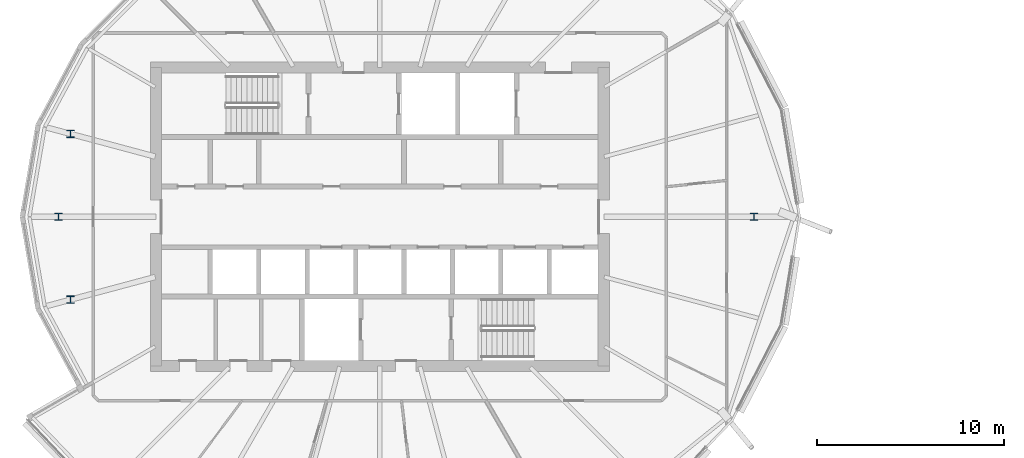
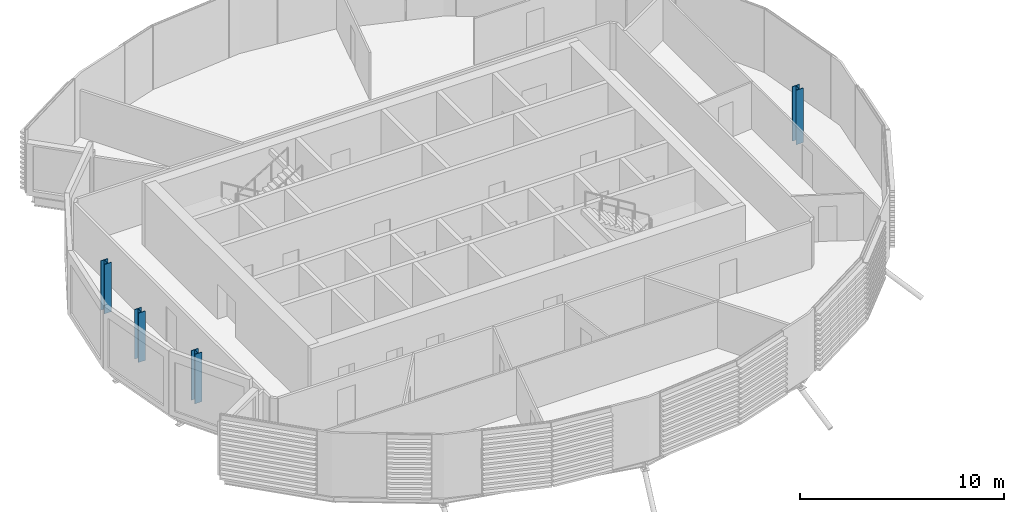
# One storey, part 1 of 37: 4 columns.
"""IFC4 building model written with IfcOpenShell, lengths in metres."""

from ifc_helpers import new_model, si_unit, direction, frame, origin, origin_2d, place, context, subcontext, project, spatial, i_section, extrude, material, material_profile, profile_set, type_object, element, save


model = new_model("IFC4")

# Units and contexts
model_context = context("Model", 3, precision=1e-05, world=origin(), true_north=direction((0.0, 1.0)))
body_context = subcontext(model_context, "Body", "Model", "MODEL_VIEW")
ifc_project = project(units=[si_unit("LENGTHUNIT", "METRE"), si_unit("AREAUNIT", "SQUARE_METRE"), si_unit("VOLUMEUNIT", "CUBIC_METRE"), si_unit("PLANEANGLEUNIT", "RADIAN"), si_unit("MASSUNIT", "GRAM", prefix="KILO")], contexts=[model_context])

# Site, building, storey
site_placement = place(None, origin())
site = spatial("IfcSite", under=ifc_project, at=site_placement, CompositionType="ELEMENT")
building_placement = place(site_placement, origin())
building = spatial("IfcBuilding", under=site, at=building_placement, Name="Rimbun Link Towers", CompositionType="ELEMENT")
storey_placement = place(building_placement, frame((0.0, 0.0, 162.699951171875)))
storey = spatial("IfcBuildingStorey", under=building, at=storey_placement, Name="L39", CompositionType="ELEMENT", Elevation=162.699951171875)

# Columns
ifc_material = material(Name="Steel S355J2", Category="steel")
ifc_material_profile = material_profile(ifc_material, i_section(OverallWidth=0.39892578125, OverallDepth=0.3935546875, WebThickness=0.022705078125, FlangeThickness=0.03662109375, at=origin_2d()), Name="UC 356x406x287")
ifc_profile_set = profile_set([ifc_material_profile], Name="Steel S355J2")
column_type = type_object("IfcColumnType", Name="UC 356x406x287", PredefinedType="COLUMN", material=ifc_profile_set)
column_placement = place(storey_placement, frame((-11.6923828125, 0.0, -0.14990234375), z_axis=(0.0, 0.0, 1.0), x_axis=(1.0, 0.0, 0.0)))
element("IfcColumn", 1, at=column_placement, inside=storey, type_object=column_type, Name="Crease post T1 L39 00", PredefinedType="COLUMN", context=body_context, shape_type="SweptSolid", body=[
    extrude(i_section(OverallWidth=0.39892578125, OverallDepth=0.3935546875, WebThickness=0.022705078125, FlangeThickness=0.03662109375, at=origin_2d()), origin(), (0.0, 0.0, 1.0), 3.266845703125),
])
for number, where, z_axis, x_axis, name in (
    (2, (-48.318359375, 4.439453125, -0.14990234375), (0.0, 0.0, 1.0), (1.0, 0.0, 0.0), "Crease post T1 L39 11"),
    (3, (-48.964111328125, 0.0, -0.14990234375), (0.0, 0.0, 1.0), (1.0, 0.0, 0.0), "Crease post T1 L39 12"),
    (4, (-48.318359375, -4.439453125, -0.14990234375), (0.0, 0.0, 1.0), (1.0, 0.0, 0.0), "Crease post T1 L39 13"),
):
    element("IfcColumn", number, at=place(storey_placement, frame(where, z_axis=z_axis, x_axis=x_axis)), inside=storey, type_object=column_type, Name=name, PredefinedType="COLUMN", context=body_context, shape_type="SweptSolid", body=[
        extrude(i_section(OverallWidth=0.39892578125, OverallDepth=0.3935546875, WebThickness=0.022705078125, FlangeThickness=0.03662109375, at=origin_2d()), origin(), (0.0, 0.0, 1.0), 2.959228515625),
    ])

save(model, "model.ifc")
